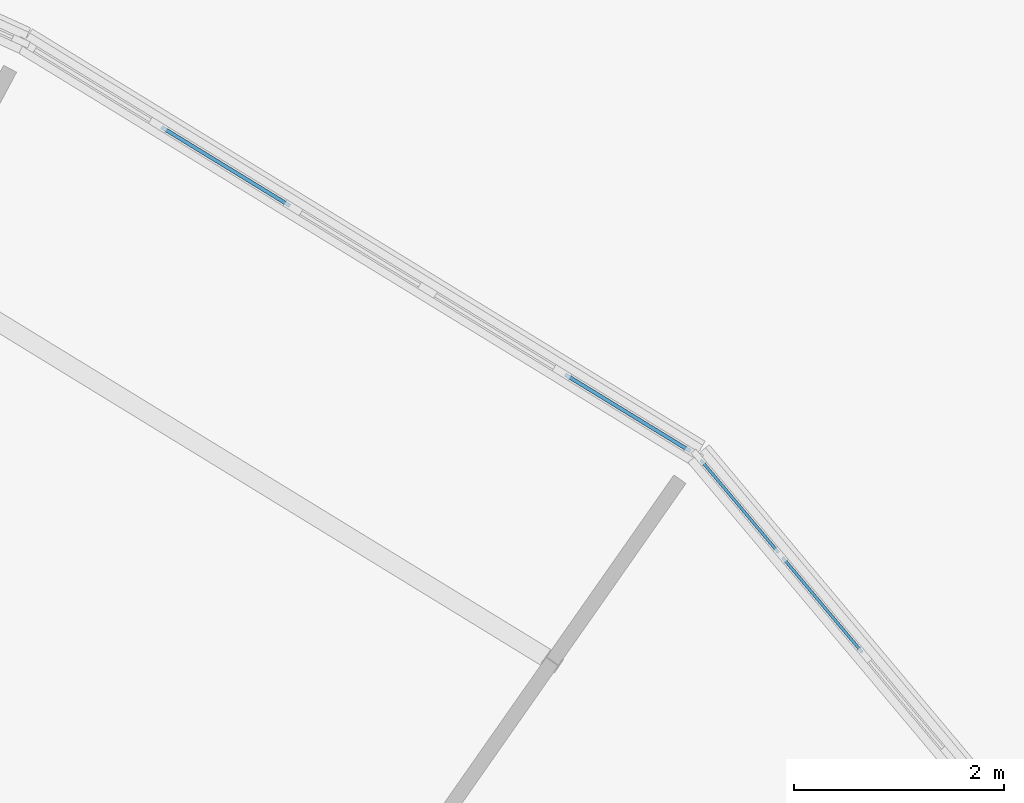
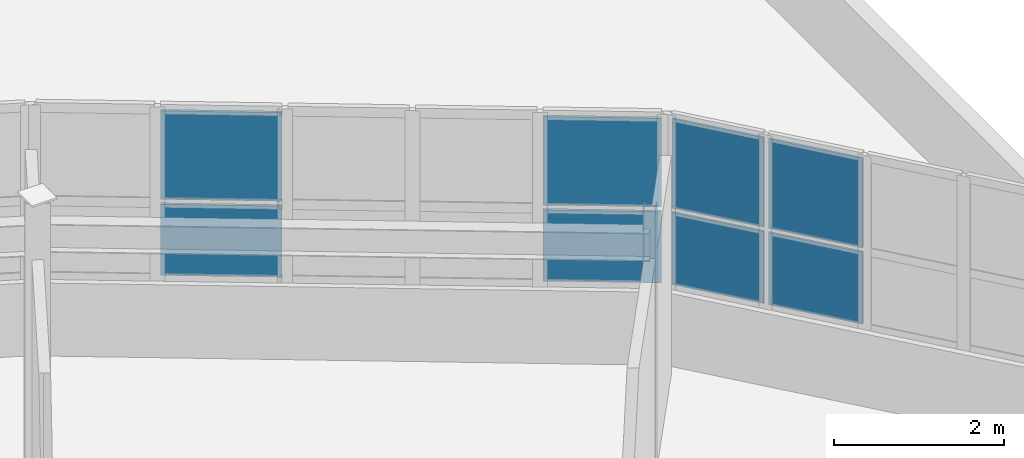
# One storey, part 79 of 128: 8 plates, 2 elements without a shape of their own.
"""IFC4 building model written with IfcOpenShell, lengths in metres."""

from ifc_helpers import new_model, si_unit, direction, frame, origin, origin_2d, place, context, subcontext, project, spatial, rectangle, extrude, material, layer, layer_set, type_object, element, aggregate, save


model = new_model("IFC4")

# Units and contexts
model_context = context("Model", 3, precision=1e-05, world=origin(), true_north=direction((0.0, 1.0)))
body_context = subcontext(model_context, "Body", "Model", "MODEL_VIEW")
ifc_project = project(units=[si_unit("LENGTHUNIT", "METRE"), si_unit("AREAUNIT", "SQUARE_METRE"), si_unit("VOLUMEUNIT", "CUBIC_METRE"), si_unit("PLANEANGLEUNIT", "RADIAN"), si_unit("MASSUNIT", "GRAM", prefix="KILO")], contexts=[model_context])

# Site, building, storey
site_placement = place(None, origin())
site = spatial("IfcSite", under=ifc_project, at=site_placement, CompositionType="ELEMENT")
building_placement = place(site_placement, origin())
building = spatial("IfcBuilding", under=site, at=building_placement, Name="Tarnwether General Hospital", CompositionType="ELEMENT")
storey_placement = place(building_placement, frame((0.0, 0.0, 14.39990234375)))
storey = spatial("IfcBuildingStorey", under=building, at=storey_placement, Name="L03", CompositionType="ELEMENT", Elevation=14.39990234375)

# Curtain wall, plates
ifc_material_1 = material(Name="Anodised aluminium", Category="aluminium")
ifc_layer_1 = layer(ifc_material_1, 0.159912109375)
ifc_layer_set_1 = layer_set([ifc_layer_1], Name="Anodised aluminium")
curtain_wall_type_1 = type_object("IfcCurtainWallType", Name="CW-03", PredefinedType="NOTDEFINED", material=ifc_layer_set_1)
curtain_wall_1_placement = place(storey_placement, origin())
curtain_wall_1 = element("IfcCurtainWall", 1, at=curtain_wall_1_placement, inside=storey, type_object=curtain_wall_type_1, Name="Curtain Wall CWG-L03-1273_1135-0021", PredefinedType="NOTDEFINED")
ifc_material_2 = material(Name="Double glazed low-E glass", Category="glass")
ifc_layer_2 = layer(ifc_material_2, 0.028076171875)
ifc_layer_set_2 = layer_set([ifc_layer_2], Name="Double glazed low-E glass")
plate_type_1 = type_object("IfcPlateType", Name="PT-CWP1", PredefinedType="CURTAIN_PANEL", material=ifc_layer_set_2)
plate_1_placement = place(storey_placement, frame((127.740966796875, 112.97265625, 1.110107421875), z_axis=(0.0, 0.0, 1.0), x_axis=(0.64285227611, -0.765990176896, 0.0)))
plate_1 = element("IfcPlate", 2, at=plate_1_placement, type_object=plate_type_1, Name="CW-03 panel 1.1", PredefinedType="CURTAIN_PANEL", context=body_context, shape_type="SweptSolid", body=[
    extrude(rectangle(XDim=1.152587890625, YDim=0.028076171875, at=origin_2d()), origin(), (0.0, 0.0, 1.0), 1.03955078125),
])
plate_2_placement = place(storey_placement, frame((127.740966796875, 112.97265625, 2.20947265625), z_axis=(0.0, 0.0, 1.0), x_axis=(0.64285227611, -0.765990176896, 0.0)))
plate_2 = element("IfcPlate", 3, at=plate_2_placement, type_object=plate_type_1, Name="CW-03 panel 1.2", PredefinedType="CURTAIN_PANEL", context=body_context, shape_type="SweptSolid", body=[
    extrude(rectangle(XDim=1.152587890625, YDim=0.028076171875, at=origin_2d()), origin(), (0.0, 0.0, 1.0), 1.29052734375),
])
plate_3_placement = place(storey_placement, frame((128.530029296875, 112.032470703125, 1.110107421875), z_axis=(0.0, 0.0, 1.0), x_axis=(0.64285227611, -0.765990176896, 0.0)))
plate_3 = element("IfcPlate", 4, at=plate_3_placement, type_object=plate_type_1, Name="CW-03 panel 2.1", PredefinedType="CURTAIN_PANEL", context=body_context, shape_type="SweptSolid", body=[
    extrude(rectangle(XDim=1.1826171875, YDim=0.028076171875, at=origin_2d()), origin(), (0.0, 0.0, 1.0), 1.03955078125),
])
plate_4_placement = place(storey_placement, frame((128.530029296875, 112.032470703125, 2.20947265625), z_axis=(0.0, 0.0, 1.0), x_axis=(0.64285227611, -0.765990176896, 0.0)))
plate_4 = element("IfcPlate", 5, at=plate_4_placement, type_object=plate_type_1, Name="CW-03 panel 2.2", PredefinedType="CURTAIN_PANEL", context=body_context, shape_type="SweptSolid", body=[
    extrude(rectangle(XDim=1.1826171875, YDim=0.028076171875, at=origin_2d()), origin(), (0.0, 0.0, 1.0), 1.29052734375),
])
aggregate(curtain_wall_1, [plate_1, plate_2, plate_3, plate_4])

ifc_material_3 = material(Name="Anodised aluminium", Category="aluminium")
ifc_layer_3 = layer(ifc_material_3, 0.159912109375)
ifc_layer_set_3 = layer_set([ifc_layer_3], Name="Anodised aluminium")
curtain_wall_type_2 = type_object("IfcCurtainWallType", Name="CW-01", PredefinedType="NOTDEFINED", material=ifc_layer_set_3)
curtain_wall_2_placement = place(storey_placement, origin())
curtain_wall_2 = element("IfcCurtainWall", 6, at=curtain_wall_2_placement, inside=storey, type_object=curtain_wall_type_2, Name="Curtain Wall CWG-L03-1209_1174-0022", PredefinedType="NOTDEFINED")
ifc_material_4 = material(Name="Double glazed low-E glass", Category="glass")
ifc_layer_4 = layer(ifc_material_4, 0.035888671875)
ifc_layer_set_4 = layer_set([ifc_layer_4], Name="Double glazed low-E glass")
plate_type_2 = type_object("IfcPlateType", Name="PT-CWP2", PredefinedType="CURTAIN_PANEL", material=ifc_layer_set_4)
plate_5_placement = place(storey_placement, frame((122.843017578125, 116.2109375, 1.1201171875), z_axis=(0.0, 0.0, 1.0), x_axis=(0.852633734977, -0.522509056361, 0.0)))
plate_5 = element("IfcPlate", 7, at=plate_5_placement, type_object=plate_type_2, Name="CW-01 panel 2.1", PredefinedType="CURTAIN_PANEL", context=body_context, shape_type="SweptSolid", body=[
    extrude(rectangle(XDim=1.434326171875, YDim=0.035888671875, at=origin_2d()), origin(), (0.0, 0.0, 1.0), 1.0244140625),
])
plate_6_placement = place(storey_placement, frame((122.843017578125, 116.2109375, 2.214599609375), z_axis=(0.0, 0.0, 1.0), x_axis=(0.852633734977, -0.522509056361, 0.0)))
plate_6 = element("IfcPlate", 8, at=plate_6_placement, type_object=plate_type_2, Name="CW-01 panel 2.2", PredefinedType="CURTAIN_PANEL", context=body_context, shape_type="SweptSolid", body=[
    extrude(rectangle(XDim=1.434326171875, YDim=0.035888671875, at=origin_2d()), origin(), (0.0, 0.0, 1.0), 1.275390625),
])
plate_7_placement = place(storey_placement, frame((126.67578125, 113.862060546875, 1.1201171875), z_axis=(0.0, 0.0, 1.0), x_axis=(0.852633734977, -0.522509056361, 0.0)))
plate_7 = element("IfcPlate", 9, at=plate_7_placement, type_object=plate_type_2, Name="CW-01 panel 5.1", PredefinedType="CURTAIN_PANEL", context=body_context, shape_type="SweptSolid", body=[
    extrude(rectangle(XDim=1.399169921875, YDim=0.035888671875, at=origin_2d()), origin(), (0.0, 0.0, 1.0), 1.0244140625),
])
plate_8_placement = place(storey_placement, frame((126.67578125, 113.862060546875, 2.214599609375), z_axis=(0.0, 0.0, 1.0), x_axis=(0.852633734977, -0.522509056361, 0.0)))
plate_8 = element("IfcPlate", 10, at=plate_8_placement, type_object=plate_type_2, Name="CW-01 panel 5.2", PredefinedType="CURTAIN_PANEL", context=body_context, shape_type="SweptSolid", body=[
    extrude(rectangle(XDim=1.399169921875, YDim=0.035888671875, at=origin_2d()), origin(), (0.0, 0.0, 1.0), 1.275390625),
])
aggregate(curtain_wall_2, [plate_5, plate_6, plate_7, plate_8])

save(model, "model.ifc")
